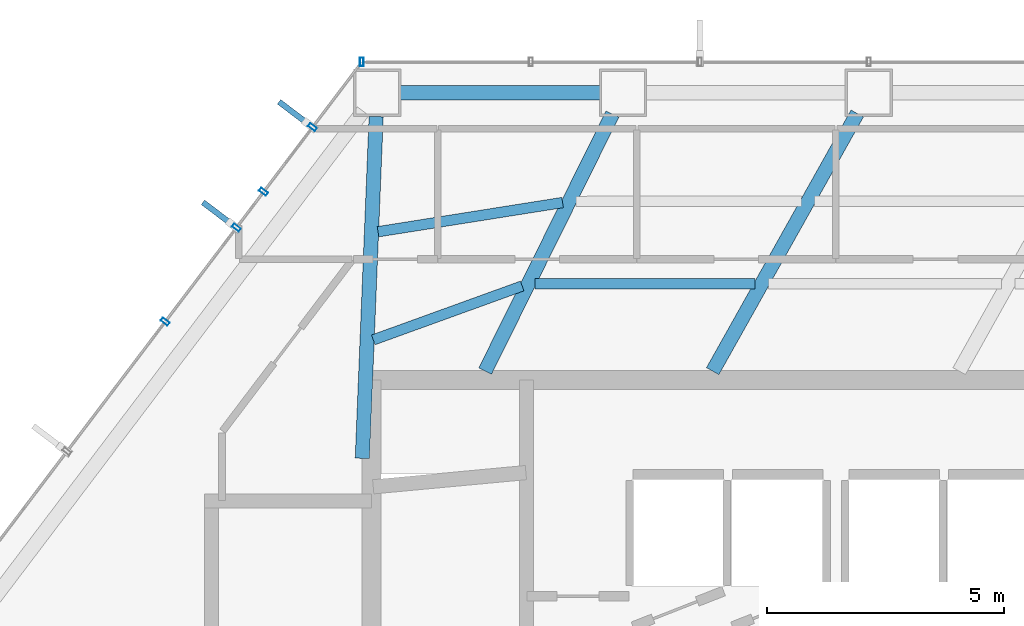
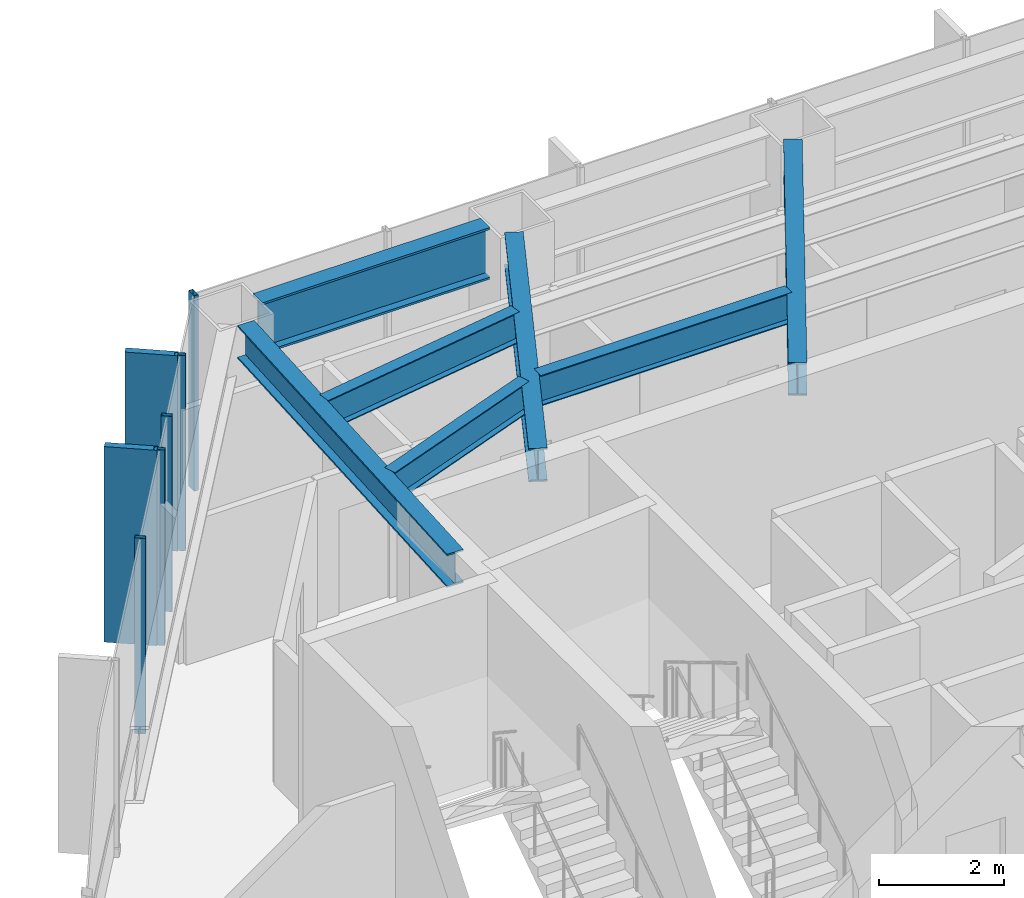
# One storey, part 13 of 26: 7 beams, 7 members, 2 elements without a shape of their own.
"""IFC4 building model written with IfcOpenShell, lengths in metres."""

from ifc_helpers import new_model, si_unit, direction, frame, origin, origin_2d, place, context, subcontext, project, spatial, rectangle, hollow_rectangle, i_section, extrude, material, layer, layer_set, material_profile, profile_set, type_object, element, aggregate, save


model = new_model("IFC4")

# Units and contexts
model_context = context("Model", 3, precision=1e-05, world=origin(), true_north=direction((0.0, 1.0)))
body_context = subcontext(model_context, "Body", "Model", "MODEL_VIEW")
ifc_project = project(units=[si_unit("LENGTHUNIT", "METRE"), si_unit("AREAUNIT", "SQUARE_METRE"), si_unit("VOLUMEUNIT", "CUBIC_METRE"), si_unit("PLANEANGLEUNIT", "RADIAN"), si_unit("MASSUNIT", "GRAM", prefix="KILO")], contexts=[model_context])

# Site, building, storey
site_placement = place(None, origin())
site = spatial("IfcSite", under=ifc_project, at=site_placement, CompositionType="ELEMENT")
building_placement = place(site_placement, origin())
building = spatial("IfcBuilding", under=site, at=building_placement, Name="Zarrinselat Tower", CompositionType="ELEMENT")
storey_placement = place(building_placement, frame((0.0, 0.0, 31.6201171875)))
storey = spatial("IfcBuildingStorey", under=building, at=storey_placement, Name="L07", CompositionType="ELEMENT", Elevation=31.6201171875)

# Beams
ifc_material_1 = material(Name="Steel S355J2", Category="steel")
ifc_material_profile_1 = material_profile(ifc_material_1, i_section(OverallWidth=0.300048828125, OverallDepth=0.64990234375, WebThickness=0.01611328125, FlangeThickness=0.031005859375, at=origin_2d()), Name="HEB 650")
ifc_profile_set_1 = profile_set([ifc_material_profile_1], Name="Steel S355J2")
beam_type_1 = type_object("IfcBeamType", Name="BM-HEB650", PredefinedType="BEAM", material=ifc_profile_set_1)
beam_1_placement = place(storey_placement, frame((35.800048828125, 43.639892578125, 3.494873046875), z_axis=(0.48932512593, 0.872101439704, 0.0), x_axis=(-0.872101439704, 0.48932512593, 0.0)))
element("IfcBeam", 1, at=beam_1_placement, inside=storey, type_object=beam_type_1, Name="L07 Radial Primary Girder RG03", PredefinedType="BEAM", context=body_context, shape_type="SweptSolid", body=[
    extrude(i_section(OverallWidth=0.300048828125, OverallDepth=0.64990234375, WebThickness=0.01611328125, FlangeThickness=0.031005859375, at=origin_2d()), origin(), (0.0, 0.0, 1.0), 6.230224609375),
])
beam_2_placement = place(storey_placement, frame((31.0, 43.639892578125, 3.494873046875), z_axis=(0.443885399975, 0.896083562894, 0.0), x_axis=(-0.896083562894, 0.443885399975, 0.0)))
element("IfcBeam", 2, at=beam_2_placement, inside=storey, type_object=beam_type_1, Name="L07 Radial Primary Girder RG04", PredefinedType="BEAM", context=body_context, shape_type="SweptSolid", body=[
    extrude(i_section(OverallWidth=0.300048828125, OverallDepth=0.64990234375, WebThickness=0.01611328125, FlangeThickness=0.031005859375, at=origin_2d()), origin(), (0.0, 0.0, 1.0), 6.050048828125),
])
beam_3_placement = place(storey_placement, frame((28.409912109375, 41.800048828125, 3.494873046875), z_axis=(0.040501788713, 0.999179465917, 0.0), x_axis=(-0.999179465917, 0.040501788713, 0.0)))
element("IfcBeam", 3, at=beam_3_placement, inside=storey, type_object=beam_type_1, Name="L07 Radial Primary Girder RG05", PredefinedType="BEAM", context=body_context, shape_type="SweptSolid", body=[
    extrude(i_section(OverallWidth=0.300048828125, OverallDepth=0.64990234375, WebThickness=0.01611328125, FlangeThickness=0.031005859375, at=origin_2d()), origin(), (0.0, 0.0, 1.0), 7.21533203125),
])
ifc_material_2 = material(Name="Steel S460M", Category="steel")
ifc_material_profile_2 = material_profile(ifc_material_2, i_section(OverallWidth=0.302001953125, OverallDepth=1.008056640625, WebThickness=0.02099609375, FlangeThickness=0.0400390625, at=origin_2d()), Name="HEM 1000")
ifc_profile_set_2 = profile_set([ifc_material_profile_2], Name="Steel S460M")
beam_type_2 = type_object("IfcBeamType", Name="BM-HEM1000", PredefinedType="BEAM", material=ifc_profile_set_2)
beam_4_placement = place(storey_placement, frame((29.21044921875, 49.510986328125, 3.31591796875), z_axis=(1.0, 0.0, 0.0), x_axis=(0.0, 1.0, 0.0)))
element("IfcBeam", 4, at=beam_4_placement, inside=storey, type_object=beam_type_2, Name="L07 Perimeter Spandrel Girder SP04", PredefinedType="BEAM", context=body_context, shape_type="SweptSolid", body=[
    extrude(i_section(OverallWidth=0.302001953125, OverallDepth=1.008056640625, WebThickness=0.02099609375, FlangeThickness=0.0400390625, at=origin_2d()), origin(), (0.0, 0.0, 1.0), 4.2099609375),
])
ifc_material_3 = material(Name="Steel S355J2", Category="steel")
ifc_material_profile_3 = material_profile(ifc_material_3, i_section(OverallWidth=0.219970703125, OverallDepth=0.60009765625, WebThickness=0.011962890625, FlangeThickness=0.01904296875, at=origin_2d()), Name="IPE 600")
ifc_profile_set_3 = profile_set([ifc_material_profile_3], Name="Steel S355J2")
beam_type_3 = type_object("IfcBeamType", Name="BM-IPE600", PredefinedType="JOIST", material=ifc_profile_set_3)
beam_5_placement = place(storey_placement, frame((32.052978515625, 45.4833984375, 3.519775390625), z_axis=(0.999999646175, 0.000841219471, 0.0), x_axis=(-0.000841219471, 0.999999646175, 0.0)))
element("IfcBeam", 5, at=beam_5_placement, inside=storey, type_object=beam_type_3, Name="L07 Composite Floor Joist 10-2", PredefinedType="JOIST", context=body_context, shape_type="SweptSolid", body=[
    extrude(i_section(OverallWidth=0.219970703125, OverallDepth=0.60009765625, WebThickness=0.011962890625, FlangeThickness=0.01904296875, at=origin_2d()), origin(), (0.0, 0.0, 1.0), 4.6435546875),
])
beam_6_placement = place(storey_placement, frame((28.7412109375, 46.580078125, 3.519775390625), z_axis=(0.987703632005, 0.156337888322, 0.0), x_axis=(-0.156337888322, 0.987703632005, 0.0)))
element("IfcBeam", 6, at=beam_6_placement, inside=storey, type_object=beam_type_3, Name="L07 Composite Floor Joist 11-1", PredefinedType="JOIST", context=body_context, shape_type="SweptSolid", body=[
    extrude(i_section(OverallWidth=0.219970703125, OverallDepth=0.60009765625, WebThickness=0.011962890625, FlangeThickness=0.01904296875, at=origin_2d()), origin(), (0.0, 0.0, 1.0), 3.941650390625),
])
beam_7_placement = place(storey_placement, frame((28.64111328125, 44.298828125, 3.519775390625), z_axis=(0.940296104803, 0.340357510998, 0.0), x_axis=(-0.340357510998, 0.940296104803, 0.0)))
element("IfcBeam", 7, at=beam_7_placement, inside=storey, type_object=beam_type_3, Name="L07 Composite Floor Joist 11-2", PredefinedType="JOIST", context=body_context, shape_type="SweptSolid", body=[
    extrude(i_section(OverallWidth=0.219970703125, OverallDepth=0.60009765625, WebThickness=0.011962890625, FlangeThickness=0.01904296875, at=origin_2d()), origin(), (0.0, 0.0, 1.0), 3.33984375),
])

# Curtain wall, member
ifc_material_4 = material(Name="Extruded Aluminium Alloy EN AW-6063 T6", Category="aluminium")
ifc_layer = layer(ifc_material_4, 0.18505859375)
ifc_layer_set = layer_set([ifc_layer], Name="Extruded Aluminium Alloy EN AW-6063 T6")
curtain_wall_type = type_object("IfcCurtainWallType", Name="CWS-OFF", PredefinedType="NOTDEFINED", material=ifc_layer_set)
curtain_wall_1_placement = place(storey_placement, origin())
curtain_wall_1 = element("IfcCurtainWall", 8, at=curtain_wall_1_placement, inside=storey, type_object=curtain_wall_type, Name="L07 Unitised Curtain Wall CW-L07-E01", PredefinedType="NOTDEFINED")
ifc_material_5 = material(Name="Extruded Aluminium Alloy EN AW-6063 T6", Category="aluminium")
ifc_material_profile_4 = material_profile(ifc_material_5, hollow_rectangle(XDim=0.080078125, YDim=0.179931640625, WallThickness=0.0048828125, at=origin_2d()), Name="RHS 180x80x5")
ifc_profile_set_4 = profile_set([ifc_material_profile_4], Name="Extruded Aluminium Alloy EN AW-6063 T6")
member_type_1 = type_object("IfcMemberType", Name="MEM-CW-MUL", PredefinedType="MULLION", material=ifc_profile_set_4)
member_1_placement = place(storey_placement, frame((28.3994140625, 50.1611328125, 0.0), z_axis=(0.0, 0.0, 1.0), x_axis=(-1.0, 0.0, 0.0)))
member_1 = element("IfcMember", 9, at=member_1_placement, type_object=member_type_1, Name="CW-L07-E01 Mullion 7", PredefinedType="MULLION", context=body_context, shape_type="SweptSolid", body=[
    extrude(hollow_rectangle(XDim=0.080078125, YDim=0.179931640625, WallThickness=0.0048828125, at=origin_2d()), origin(), (0.0, 0.0, 1.0), 3.81982421875),
])
aggregate(curtain_wall_1, [member_1])

# Curtain wall, members
curtain_wall_2_placement = place(storey_placement, origin())
curtain_wall_2 = element("IfcCurtainWall", 10, at=curtain_wall_2_placement, inside=storey, type_object=curtain_wall_type, Name="L07 Unitised Curtain Wall CW-L07-E02", PredefinedType="NOTDEFINED")
member_2_placement = place(storey_placement, frame((27.35791015625, 48.786376953125, 0.0), z_axis=(0.0, 0.0, 1.0), x_axis=(-0.603858715485, -0.797091369752, 0.0)))
member_2 = element("IfcMember", 11, at=member_2_placement, type_object=member_type_1, Name="CW-L07-E02 Mullion 1", PredefinedType="MULLION", context=body_context, shape_type="SweptSolid", body=[
    extrude(hollow_rectangle(XDim=0.080078125, YDim=0.179931640625, WallThickness=0.0048828125, at=origin_2d()), origin(), (0.0, 0.0, 1.0), 3.81982421875),
])
member_3_placement = place(storey_placement, frame((26.324951171875, 47.4228515625, 0.0), z_axis=(0.0, 0.0, 1.0), x_axis=(-0.603858715485, -0.797091369752, 0.0)))
member_3 = element("IfcMember", 12, at=member_3_placement, type_object=member_type_1, Name="CW-L07-E02 Mullion 2", PredefinedType="MULLION", context=body_context, shape_type="SweptSolid", body=[
    extrude(hollow_rectangle(XDim=0.080078125, YDim=0.179931640625, WallThickness=0.0048828125, at=origin_2d()), origin(), (0.0, 0.0, 1.0), 3.81982421875),
])
member_4_placement = place(storey_placement, frame((25.752197265625, 46.666748046875, 0.0), z_axis=(0.0, 0.0, 1.0), x_axis=(-0.603858715485, -0.797091369752, 0.0)))
member_4 = element("IfcMember", 13, at=member_4_placement, type_object=member_type_1, Name="CW-L07-E02 Mullion 3", PredefinedType="MULLION", context=body_context, shape_type="SweptSolid", body=[
    extrude(hollow_rectangle(XDim=0.080078125, YDim=0.179931640625, WallThickness=0.0048828125, at=origin_2d()), origin(), (0.0, 0.0, 1.0), 3.81982421875),
])
member_5_placement = place(storey_placement, frame((24.25048828125, 44.6845703125, 0.0), z_axis=(0.0, 0.0, 1.0), x_axis=(-0.603858715485, -0.797091369752, 0.0)))
member_5 = element("IfcMember", 14, at=member_5_placement, type_object=member_type_1, Name="CW-L07-E02 Mullion 4", PredefinedType="MULLION", context=body_context, shape_type="SweptSolid", body=[
    extrude(hollow_rectangle(XDim=0.080078125, YDim=0.179931640625, WallThickness=0.0048828125, at=origin_2d()), origin(), (0.0, 0.0, 1.0), 3.81982421875),
])
ifc_material_6 = material(Name="Honed Cream Travertine Stone", Category="masonry")
ifc_material_profile_5 = material_profile(ifc_material_6, rectangle(XDim=0.1201171875, YDim=0.85009765625, at=origin_2d()), Name="FIN 850x120")
ifc_profile_set_5 = profile_set([ifc_material_profile_5], Name="Honed Cream Travertine Stone")
member_type_2 = type_object("IfcMemberType", Name="MEM-STONE-FIN", PredefinedType="USERDEFINED", material=ifc_profile_set_5)
member_6_placement = place(storey_placement, frame((26.9912109375, 49.064208984375, 0.0), z_axis=(0.0, 0.0, 1.0), x_axis=(0.603858715485, 0.797091369752, 0.0)))
member_6 = element("IfcMember", 15, at=member_6_placement, type_object=member_type_2, Name="L07 Stone Shading Fin CW-L07-E02-01", ObjectType="FIN", PredefinedType="USERDEFINED", context=body_context, shape_type="SweptSolid", body=[
    extrude(rectangle(XDim=0.1201171875, YDim=0.85009765625, at=origin_2d()), origin(), (0.0, 0.0, 1.0), 3.81982421875),
])
member_7_placement = place(storey_placement, frame((25.385498046875, 46.944580078125, 0.0), z_axis=(0.0, 0.0, 1.0), x_axis=(0.603858715485, 0.797091369752, 0.0)))
member_7 = element("IfcMember", 16, at=member_7_placement, type_object=member_type_2, Name="L07 Stone Shading Fin CW-L07-E02-03", ObjectType="FIN", PredefinedType="USERDEFINED", context=body_context, shape_type="SweptSolid", body=[
    extrude(rectangle(XDim=0.1201171875, YDim=0.85009765625, at=origin_2d()), origin(), (0.0, 0.0, 1.0), 3.81982421875),
])
aggregate(curtain_wall_2, [member_2, member_6, member_3, member_4, member_7, member_5])

save(model, "model.ifc")
